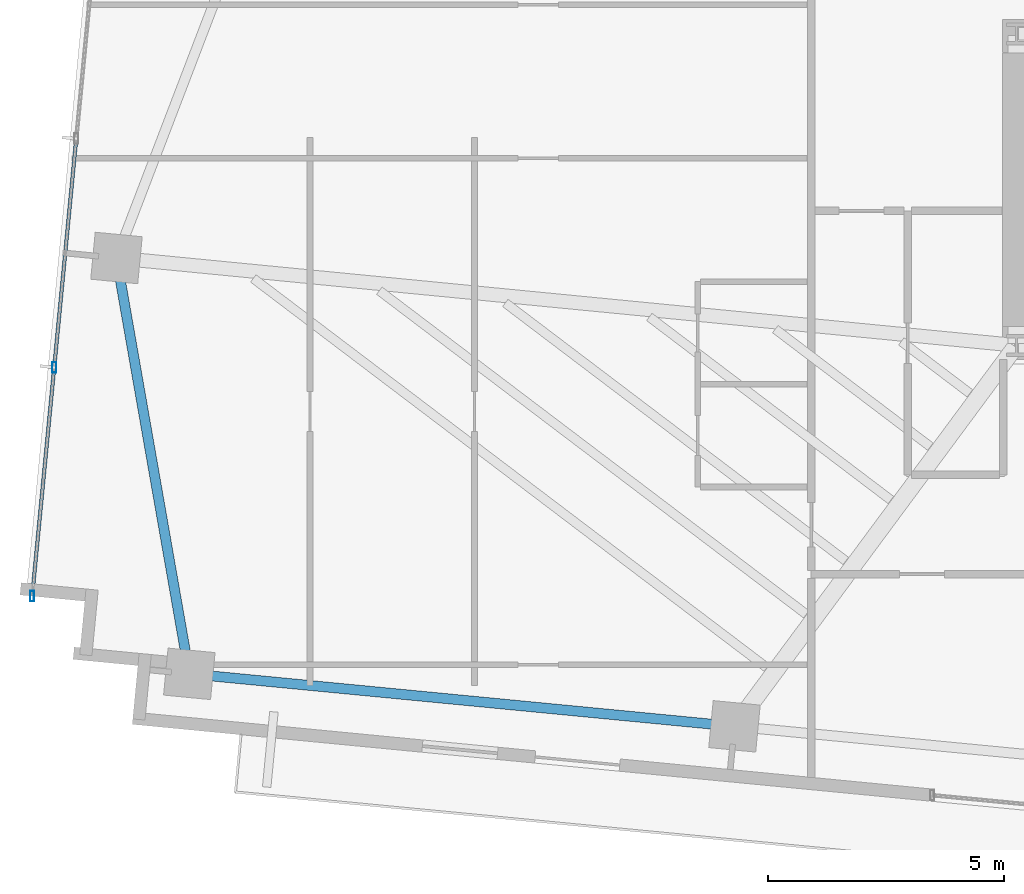
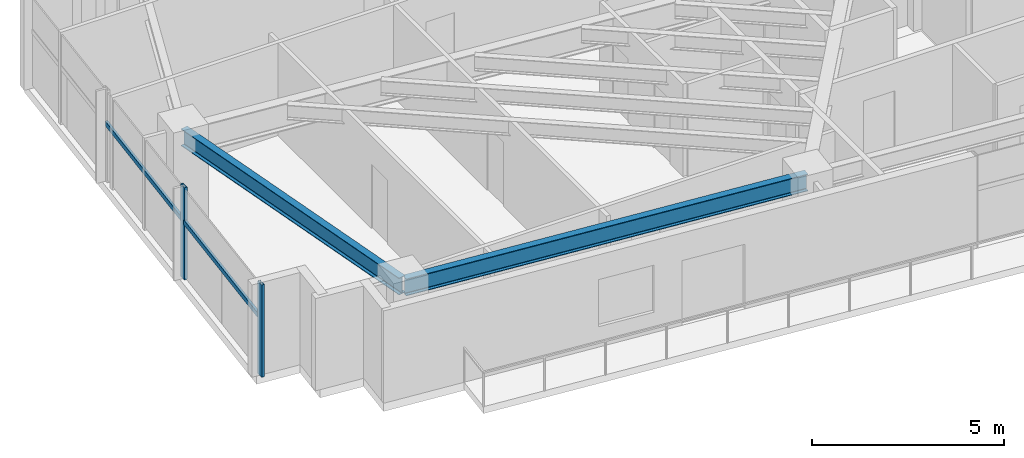
# One storey, part 2 of 19: 4 members, 2 beams, 1 element without a shape of its own.
"""IFC4 building model written with IfcOpenShell, lengths in metres."""

from ifc_helpers import new_model, si_unit, direction, frame, origin, origin_2d, place, context, subcontext, project, spatial, hollow_rectangle, i_section, extrude, source, transform, mapped, material, material_profile, profile_set, type_object, type_shapes, element, aggregate, save


model = new_model("IFC4")

# Units and contexts
model_context = context("Model", 3, precision=1e-05, world=origin(), true_north=direction((0.0, 1.0)))
body_context = subcontext(model_context, "Body", "Model", "MODEL_VIEW")
ifc_project = project(units=[si_unit("LENGTHUNIT", "METRE"), si_unit("AREAUNIT", "SQUARE_METRE"), si_unit("VOLUMEUNIT", "CUBIC_METRE"), si_unit("PLANEANGLEUNIT", "RADIAN"), si_unit("MASSUNIT", "GRAM", prefix="KILO")], contexts=[model_context])

# Site, building, storey
site_placement = place(None, origin())
site = spatial("IfcSite", under=ifc_project, at=site_placement, CompositionType="ELEMENT")
building_placement = place(site_placement, origin())
building = spatial("IfcBuilding", under=site, at=building_placement, Name="Astriad Promenade Condominiums", CompositionType="ELEMENT")
storey_placement = place(building_placement, frame((0.0, 0.0, 150.199951171875)))
storey = spatial("IfcBuildingStorey", under=building, at=storey_placement, Name="L43", CompositionType="ELEMENT", Elevation=150.199951171875)

# Beams
ifc_material_1 = material(Name="Steel ASTM A992 Grade 50", Category="steel")
ifc_material_profile_1 = material_profile(ifc_material_1, i_section(OverallWidth=0.210693359375, OverallDepth=0.53955078125, WebThickness=0.01171875, FlangeThickness=0.018798828125, FilletRadius=0.0166015625, at=origin_2d()), Name="W21X73")
ifc_profile_set_1 = profile_set([ifc_material_profile_1], Name="Steel ASTM A992 Grade 50")
beam_type = type_object("IfcBeamType", Name="STEEL SPANDREL BEAM W21X73", PredefinedType="SPANDREL", material=ifc_profile_set_1)
shared_shape_1 = source(origin(), body_context, "Body", "SweptSolid", [
    extrude(i_section(OverallWidth=0.210693359375, OverallDepth=0.53955078125, WebThickness=0.01171875, FlangeThickness=0.018798828125, FilletRadius=0.0166015625, at=origin_2d()), origin(), (0.0, 0.0, 1.0), 11.52001953125),
])
beam_1_placement = place(storey_placement, frame((8.92041015625, 10.439453125, 2.670166015625), z_axis=(0.9953953902, -0.095854145285, 0.0), x_axis=(0.095854145285, 0.9953953902, 0.0)))
element("IfcBeam", 1, at=beam_1_placement, inside=storey, type_object=beam_type, Name="Perimeter Spandrel Beam SP-S1-L43", PredefinedType="SPANDREL", context=body_context, shape_type="MappedRepresentation", body=[
    mapped(shared_shape_1, transform((0.0, 0.0, 0.0), scale=1.0)),
])
shared_shape_2 = source(origin(), body_context, "Body", "SweptSolid", [
    extrude(i_section(OverallWidth=0.210693359375, OverallDepth=0.53955078125, WebThickness=0.01171875, FlangeThickness=0.018798828125, FilletRadius=0.0166015625, at=origin_2d()), origin(), (0.0, 0.0, 1.0), 8.862548828125),
])
type_shapes(beam_type, [shared_shape_1, shared_shape_2])
beam_2_placement = place(storey_placement, frame((7.3447265625, 19.21240234375, 2.670166015625), z_axis=(0.172528005434, -0.985004612853, 0.0), x_axis=(0.985004612853, 0.172528005434, 0.0)))
element("IfcBeam", 2, at=beam_2_placement, inside=storey, type_object=beam_type, Name="Perimeter Spandrel Beam SP-W1-L43", PredefinedType="SPANDREL", context=body_context, shape_type="MappedRepresentation", body=[
    mapped(shared_shape_2, transform((0.0, 0.0, 0.0), scale=1.0)),
])

# Curtain wall, members
ifc_material_2 = material(Name="Anodised aluminium Black Dark Glass Unitised", Category="aluminium")
curtain_wall_type = type_object("IfcCurtainWallType", Name="CW-B34-DARK", PredefinedType="USERDEFINED", material=ifc_material_2)
curtain_wall_placement = place(storey_placement, origin())
curtain_wall = element("IfcCurtainWall", 3, at=curtain_wall_placement, inside=storey, type_object=curtain_wall_type, Name="CW-L43-W", ObjectType="UNITISED_CURTAIN_WALL", PredefinedType="USERDEFINED")
ifc_material_3 = material(Name="Anodised aluminium 6063-T6 Black", Category="aluminium")
ifc_material_profile_2 = material_profile(ifc_material_3, hollow_rectangle(XDim=0.0849609375, YDim=0.219970703125, WallThickness=0.0048828125, at=origin_2d()), Name="ALU-MUL-85X220")
ifc_profile_set_2 = profile_set([ifc_material_profile_2], Name="Anodised aluminium 6063-T6 Black")
member_type_1 = type_object("IfcMemberType", Name="MUL-ALU-MUL-85X220", PredefinedType="MULLION", material=ifc_profile_set_2)
shared_shape_3 = source(origin(), body_context, "Body", "SweptSolid", [
    extrude(hollow_rectangle(XDim=0.0849609375, YDim=0.219970703125, WallThickness=0.0048828125, at=origin_2d()), origin(), (0.0, 0.0, 1.0), 2.93994140625),
])
type_shapes(member_type_1, [shared_shape_3])
member_1_placement = place(storey_placement, frame((5.552978515625, 12.08984375, 0.0), z_axis=(0.0, 0.0, 1.0), x_axis=(1.0, 0.0, 0.0)))
member_1 = element("IfcMember", 4, at=member_1_placement, type_object=member_type_1, Name="CW-L43-W-MUL-00", PredefinedType="MULLION", context=body_context, shape_type="MappedRepresentation", body=[
    mapped(shared_shape_3, transform((0.0, 0.0, 0.0), scale=1.0)),
])
member_2_placement = place(storey_placement, frame((6.01953125, 16.93408203125, 0.0), z_axis=(0.0, 0.0, 1.0), x_axis=(1.0, 0.0, 0.0)))
member_2 = element("IfcMember", 5, at=member_2_placement, type_object=member_type_1, Name="CW-L43-W-MUL-01", PredefinedType="MULLION", context=body_context, shape_type="MappedRepresentation", body=[
    mapped(shared_shape_3, transform((0.0, 0.0, 0.0), scale=1.0)),
])
ifc_material_profile_3 = material_profile(ifc_material_3, hollow_rectangle(XDim=0.074951171875, YDim=0.14990234375, WallThickness=0.004150390625, at=origin_2d()), Name="ALU-TRN-75X150")
ifc_profile_set_3 = profile_set([ifc_material_profile_3], Name="Anodised aluminium 6063-T6 Black")
member_type_2 = type_object("IfcMemberType", Name="TRN-ALU-TRN-75X150", PredefinedType="USERDEFINED", material=ifc_profile_set_3)
shared_shape_4 = source(origin(), body_context, "Body", "SweptSolid", [
    extrude(hollow_rectangle(XDim=0.074951171875, YDim=0.14990234375, WallThickness=0.004150390625, at=origin_2d()), origin(), (0.0, 0.0, 1.0), 4.86669921875),
])
type_shapes(member_type_2, [shared_shape_4])
member_3_placement = place(storey_placement, frame((5.552978515625, 12.08984375, 1.82275390625), z_axis=(0.095867260207, 0.995394127178, 0.0), x_axis=(-0.995394127178, 0.095867260207, 0.0)))
member_3 = element("IfcMember", 6, at=member_3_placement, type_object=member_type_2, Name="CW-L43-W-TRN-00-0", ObjectType="TRANSOM", PredefinedType="USERDEFINED", context=body_context, shape_type="MappedRepresentation", body=[
    mapped(shared_shape_4, transform((0.0, 0.0, 0.0), scale=1.0)),
])
member_4_placement = place(storey_placement, frame((6.01953125, 16.93408203125, 1.82275390625), z_axis=(0.095867260207, 0.995394127178, 0.0), x_axis=(-0.995394127178, 0.095867260207, 0.0)))
member_4 = element("IfcMember", 7, at=member_4_placement, type_object=member_type_2, Name="CW-L43-W-TRN-01-0", ObjectType="TRANSOM", PredefinedType="USERDEFINED", context=body_context, shape_type="MappedRepresentation", body=[
    mapped(shared_shape_4, transform((0.0, 0.0, 0.0), scale=1.0)),
])
aggregate(curtain_wall, [member_1, member_2, member_3, member_4])

save(model, "model.ifc")
